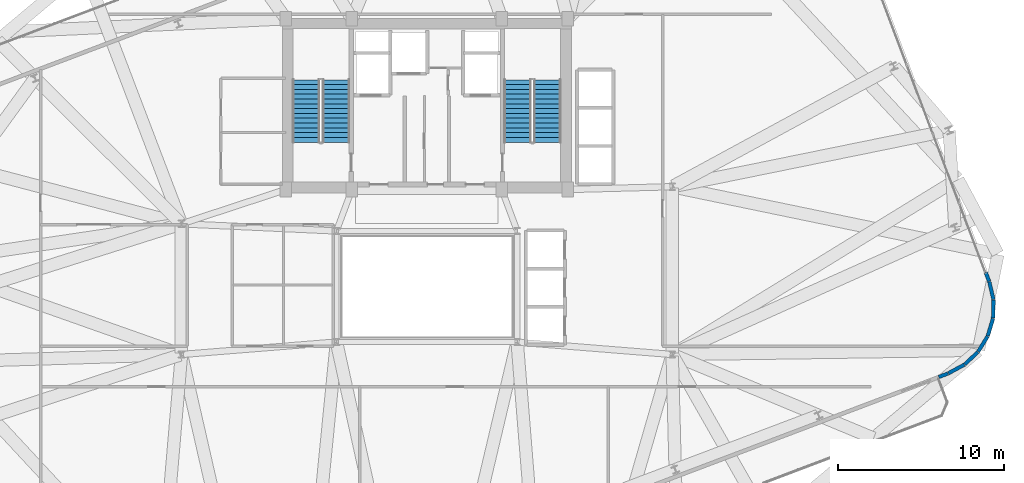
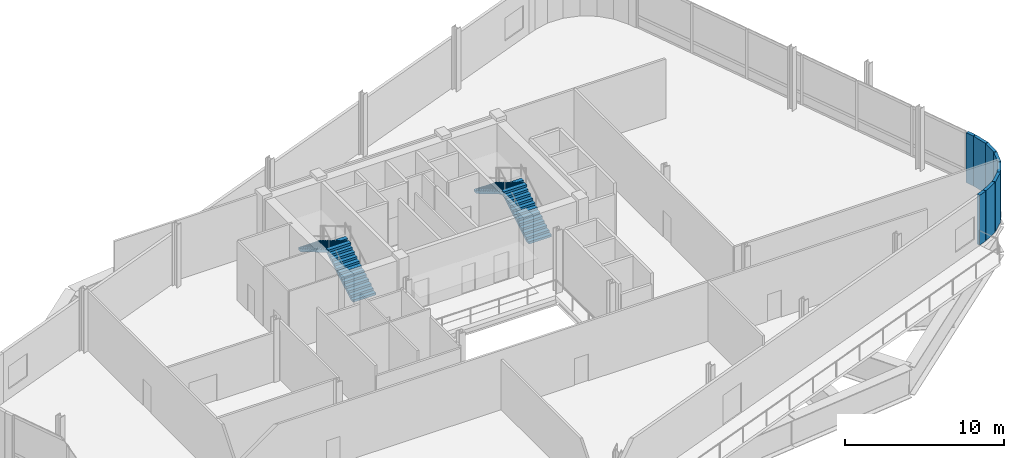
# One storey, part 15 of 19: 8 walls, 4 stair flights, 2 elements without a shape of their own.
"""IFC4 building model written with IfcOpenShell, lengths in metres."""

from ifc_helpers import new_model, si_unit, direction, frame, frame_2d, origin, place, context, subcontext, project, spatial, polyline, rectangle, outline, extrude, material, layer, layer_set, type_object, element, aggregate, save


model = new_model("IFC4")

# Units and contexts
model_context = context("Model", 3, precision=1e-05, world=origin(), true_north=direction((0.0, 1.0)))
body_context = subcontext(model_context, "Body", "Model", "MODEL_VIEW")
ifc_project = project(units=[si_unit("LENGTHUNIT", "METRE"), si_unit("AREAUNIT", "SQUARE_METRE"), si_unit("VOLUMEUNIT", "CUBIC_METRE"), si_unit("PLANEANGLEUNIT", "RADIAN"), si_unit("MASSUNIT", "GRAM", prefix="KILO")], contexts=[model_context])

# Site, building, storey
site_placement = place(None, origin())
site = spatial("IfcSite", under=ifc_project, at=site_placement, CompositionType="ELEMENT")
building_placement = place(site_placement, origin())
building = spatial("IfcBuilding", under=site, at=building_placement, Name="Varnelok Gate Tower", CompositionType="ELEMENT")
storey_placement = place(building_placement, frame((0.0, 0.0, 207.89990234375)))
storey = spatial("IfcBuildingStorey", under=building, at=storey_placement, Name="L53", CompositionType="ELEMENT", Elevation=207.89990234375)

# Walls
ifc_material_1 = material(Name="Concrete C45/55", Category="concrete")
ifc_layer = layer(ifc_material_1, 0.219970703125)
ifc_layer_set = layer_set([ifc_layer], Name="Concrete C45/55")
wall_type = type_object("IfcWallType", Name="EW-BALC-220", PredefinedType="SOLIDWALL", material=ifc_layer_set)
wall_1_placement = place(storey_placement, frame((70.08154296875, 17.4453125, 0.0), z_axis=(0.0, 0.0, 1.0), x_axis=(0.935359991553, 0.353697167365, 0.0)))
element("IfcWall", 1, at=wall_1_placement, inside=storey, type_object=wall_type, Name="L53 Perimeter Facade Closure Wall 8", PredefinedType="SOLIDWALL", context=body_context, shape_type="SweptSolid", body=[
    extrude(rectangle(XDim=0.59228515625, YDim=0.219970703125, at=frame_2d((0.296142578125, 0.0))), origin(), (0.0, 0.0, 1.0), 3.830078125),
])
wall_2_placement = place(storey_placement, frame((70.657470703125, 17.666748046875, 0.0), z_axis=(0.0, 0.0, 1.0), x_axis=(0.881040688262, 0.473040490473, 0.0)))
element("IfcWall", 2, at=wall_2_placement, inside=storey, type_object=wall_type, Name="L53 Perimeter Facade Closure Wall 9", PredefinedType="SOLIDWALL", context=body_context, shape_type="SweptSolid", body=[
    extrude(rectangle(XDim=1.099853515625, YDim=0.219970703125, at=frame_2d((0.5498046875, 0.0))), origin(), (0.0, 0.0, 1.0), 3.830078125),
])
for number, where, z_axis, x_axis, name in (
    (3, (71.64453125, 18.2041015625, 0.0), (0.0, 0.0, 1.0), (0.728567421456, 0.684974096147, 0.0), "L53 Perimeter Facade Closure Wall 10"),
    (4, (72.453369140625, 18.973388671875, 0.0), (0.0, 0.0, 1.0), (0.526477748927, 0.850188908352, 0.0), "L53 Perimeter Facade Closure Wall 11"),
    (5, (73.035400390625, 19.92578125, 0.0), (0.0, 0.0, 1.0), (0.288393733733, 0.957511908199, 0.0), "L53 Perimeter Facade Closure Wall 12"),
):
    element("IfcWall", number, at=place(storey_placement, frame(where, z_axis=z_axis, x_axis=x_axis)), inside=storey, type_object=wall_type, Name=name, PredefinedType="SOLIDWALL", context=body_context, shape_type="SweptSolid", body=[
        extrude(rectangle(XDim=1.092041015625, YDim=0.219970703125, at=frame_2d((0.5458984375, 0.0))), origin(), (0.0, 0.0, 1.0), 3.830078125),
    ])
wall_3_placement = place(storey_placement, frame((73.351318359375, 20.99658203125, 0.0), z_axis=(0.0, 0.0, 1.0), x_axis=(0.03085778129, 0.999523785277, 0.0)))
element("IfcWall", 6, at=wall_3_placement, inside=storey, type_object=wall_type, Name="L53 Perimeter Facade Closure Wall 13", PredefinedType="SOLIDWALL", context=body_context, shape_type="SweptSolid", body=[
    extrude(rectangle(XDim=1.091796875, YDim=0.219970703125, at=frame_2d((0.5458984375, 0.0))), origin(), (0.0, 0.0, 1.0), 3.830078125),
])
wall_4_placement = place(storey_placement, frame((73.379150390625, 22.1123046875, 0.0), z_axis=(0.0, 0.0, 1.0), x_axis=(-0.229039333726, 0.973417168334, 0.0)))
element("IfcWall", 7, at=wall_4_placement, inside=storey, type_object=wall_type, Name="L53 Perimeter Facade Closure Wall 14", PredefinedType="SOLIDWALL", context=body_context, shape_type="SweptSolid", body=[
    extrude(rectangle(XDim=1.10009765625, YDim=0.219970703125, at=frame_2d((0.550048828125, 0.0))), origin(), (0.0, 0.0, 1.0), 3.830078125),
])
wall_5_placement = place(storey_placement, frame((73.118408203125, 23.206298828125, 0.0), z_axis=(0.0, 0.0, 1.0), x_axis=(-0.353902093829, 0.935282474969, 0.0)))
element("IfcWall", 8, at=wall_5_placement, inside=storey, type_object=wall_type, Name="L53 Perimeter Facade Closure Wall 15", PredefinedType="SOLIDWALL", context=body_context, shape_type="SweptSolid", body=[
    extrude(rectangle(XDim=0.577392578125, YDim=0.219970703125, at=frame_2d((0.28857421875, 0.0))), origin(), (0.0, 0.0, 1.0), 3.830078125),
])

# Stair, stair flights
ifc_material_2 = material(Name="Concrete C50/60", Category="concrete")
stair_type = type_object("IfcStairType", Name="STR-CORE-1650", PredefinedType="HALF_TURN_STAIR", material=ifc_material_2)
stair_1_placement = place(storey_placement, origin())
stair_1 = element("IfcStair", 9, at=stair_1_placement, inside=storey, type_object=stair_type, Name="L53 Exit Stair ST-1", PredefinedType="HALF_TURN_STAIR")
stair_flight_type = type_object("IfcStairFlightType", Name="SFL-CORE-1650", PredefinedType="STRAIGHT", material=ifc_material_2)
stair_flight_1_placement = place(storey_placement, frame((33.72509765625, 31.60009765625, 0.0), z_axis=(0.0, 0.0, 1.0), x_axis=(0.0, 1.0, 0.0)))
stair_flight_1 = element("IfcStairFlight", 10, at=stair_flight_1_placement, type_object=stair_flight_type, Name="ST-1 flight 1", NumberOfRisers=14, NumberOfTreads=13, PredefinedType="STRAIGHT", RiserHeight=0.171428571, TreadLength=0.29, context=body_context, shape_type="SweptSolid", body=[
    extrude(outline(polyline([(0.0, 0.0), (0.0, 0.17138671875), (0.2900390625, 0.17138671875), (0.2900390625, 0.3427734375), (0.580078125, 0.3427734375), (0.580078125, 0.514404296875), (0.8701171875, 0.514404296875), (0.8701171875, 0.685791015625), (1.159912109375, 0.685791015625), (1.159912109375, 0.857177734375), (1.449951171875, 0.857177734375), (1.449951171875, 1.028564453125), (1.739990234375, 1.028564453125), (1.739990234375, 1.199951171875), (2.030029296875, 1.199951171875), (2.030029296875, 1.371337890625), (2.320068359375, 1.371337890625), (2.320068359375, 1.54296875), (2.610107421875, 1.54296875), (2.610107421875, 1.71435546875), (2.89990234375, 1.71435546875), (2.89990234375, 1.8857421875), (3.18994140625, 1.8857421875), (3.18994140625, 2.05712890625), (3.47998046875, 2.05712890625), (3.47998046875, 2.228515625), (3.77001953125, 2.228515625), (3.77001953125, 2.39990234375), (3.77001953125, 2.054443359375), (0.294677734375, 0.0), (0.0, 0.0)])), frame((0.0, 0.824951171875, 0.0), z_axis=(0.0, -1.0, 0.0), x_axis=(1.0, 0.0, 0.0)), (0.0, 0.0, 1.0), 1.64990234375),
])
stair_flight_2_placement = place(storey_placement, frame((31.925048828125, 35.3701171875, 2.400146484375), z_axis=(0.0, 0.0, 1.0), x_axis=(0.0, -1.0, 0.0)))
stair_flight_2 = element("IfcStairFlight", 11, at=stair_flight_2_placement, type_object=stair_flight_type, Name="ST-1 flight 2", NumberOfRisers=14, NumberOfTreads=13, PredefinedType="STRAIGHT", RiserHeight=0.171428571, TreadLength=0.29, context=body_context, shape_type="SweptSolid", body=[
    extrude(outline(polyline([(0.0, 0.0), (0.0, 0.17138671875), (0.2900390625, 0.17138671875), (0.2900390625, 0.3427734375), (0.580078125, 0.3427734375), (0.580078125, 0.514404296875), (0.8701171875, 0.514404296875), (0.8701171875, 0.685791015625), (1.159912109375, 0.685791015625), (1.159912109375, 0.857177734375), (1.449951171875, 0.857177734375), (1.449951171875, 1.028564453125), (1.739990234375, 1.028564453125), (1.739990234375, 1.199951171875), (2.030029296875, 1.199951171875), (2.030029296875, 1.371337890625), (2.320068359375, 1.371337890625), (2.320068359375, 1.54296875), (2.610107421875, 1.54296875), (2.610107421875, 1.71435546875), (2.89990234375, 1.71435546875), (2.89990234375, 1.8857421875), (3.18994140625, 1.8857421875), (3.18994140625, 2.05712890625), (3.47998046875, 2.05712890625), (3.47998046875, 2.228515625), (3.77001953125, 2.228515625), (3.77001953125, 2.39990234375), (3.77001953125, 2.054443359375), (0.294677734375, 0.0), (0.0, 0.0)])), frame((0.0, 0.824951171875, 0.0), z_axis=(0.0, -1.0, 0.0), x_axis=(1.0, 0.0, 0.0)), (0.0, 0.0, 1.0), 1.64990234375),
])
aggregate(stair_1, [stair_flight_1, stair_flight_2])

stair_2_placement = place(storey_placement, origin())
stair_2 = element("IfcStair", 12, at=stair_2_placement, inside=storey, type_object=stair_type, Name="L53 Exit Stair ST-2", PredefinedType="HALF_TURN_STAIR")
stair_flight_3_placement = place(storey_placement, frame((46.47509765625, 31.60009765625, 0.0), z_axis=(0.0, 0.0, 1.0), x_axis=(0.0, 1.0, 0.0)))
stair_flight_3 = element("IfcStairFlight", 13, at=stair_flight_3_placement, type_object=stair_flight_type, Name="ST-2 flight 1", NumberOfRisers=14, NumberOfTreads=13, PredefinedType="STRAIGHT", RiserHeight=0.171428571, TreadLength=0.29, context=body_context, shape_type="SweptSolid", body=[
    extrude(outline(polyline([(0.0, 0.0), (0.0, 0.17138671875), (0.2900390625, 0.17138671875), (0.2900390625, 0.3427734375), (0.580078125, 0.3427734375), (0.580078125, 0.514404296875), (0.8701171875, 0.514404296875), (0.8701171875, 0.685791015625), (1.159912109375, 0.685791015625), (1.159912109375, 0.857177734375), (1.449951171875, 0.857177734375), (1.449951171875, 1.028564453125), (1.739990234375, 1.028564453125), (1.739990234375, 1.199951171875), (2.030029296875, 1.199951171875), (2.030029296875, 1.371337890625), (2.320068359375, 1.371337890625), (2.320068359375, 1.54296875), (2.610107421875, 1.54296875), (2.610107421875, 1.71435546875), (2.89990234375, 1.71435546875), (2.89990234375, 1.8857421875), (3.18994140625, 1.8857421875), (3.18994140625, 2.05712890625), (3.47998046875, 2.05712890625), (3.47998046875, 2.228515625), (3.77001953125, 2.228515625), (3.77001953125, 2.39990234375), (3.77001953125, 2.054443359375), (0.294677734375, 0.0), (0.0, 0.0)])), frame((0.0, 0.824951171875, 0.0), z_axis=(0.0, -1.0, 0.0), x_axis=(1.0, 0.0, 0.0)), (0.0, 0.0, 1.0), 1.64990234375),
])
stair_flight_4_placement = place(storey_placement, frame((44.675048828125, 35.3701171875, 2.400146484375), z_axis=(0.0, 0.0, 1.0), x_axis=(0.0, -1.0, 0.0)))
stair_flight_4 = element("IfcStairFlight", 14, at=stair_flight_4_placement, type_object=stair_flight_type, Name="ST-2 flight 2", NumberOfRisers=14, NumberOfTreads=13, PredefinedType="STRAIGHT", RiserHeight=0.171428571, TreadLength=0.29, context=body_context, shape_type="SweptSolid", body=[
    extrude(outline(polyline([(0.0, 0.0), (0.0, 0.17138671875), (0.2900390625, 0.17138671875), (0.2900390625, 0.3427734375), (0.580078125, 0.3427734375), (0.580078125, 0.514404296875), (0.8701171875, 0.514404296875), (0.8701171875, 0.685791015625), (1.159912109375, 0.685791015625), (1.159912109375, 0.857177734375), (1.449951171875, 0.857177734375), (1.449951171875, 1.028564453125), (1.739990234375, 1.028564453125), (1.739990234375, 1.199951171875), (2.030029296875, 1.199951171875), (2.030029296875, 1.371337890625), (2.320068359375, 1.371337890625), (2.320068359375, 1.54296875), (2.610107421875, 1.54296875), (2.610107421875, 1.71435546875), (2.89990234375, 1.71435546875), (2.89990234375, 1.8857421875), (3.18994140625, 1.8857421875), (3.18994140625, 2.05712890625), (3.47998046875, 2.05712890625), (3.47998046875, 2.228515625), (3.77001953125, 2.228515625), (3.77001953125, 2.39990234375), (3.77001953125, 2.054443359375), (0.294677734375, 0.0), (0.0, 0.0)])), frame((0.0, 0.824951171875, 0.0), z_axis=(0.0, -1.0, 0.0), x_axis=(1.0, 0.0, 0.0)), (0.0, 0.0, 1.0), 1.64990234375),
])
aggregate(stair_2, [stair_flight_3, stair_flight_4])

save(model, "model.ifc")
